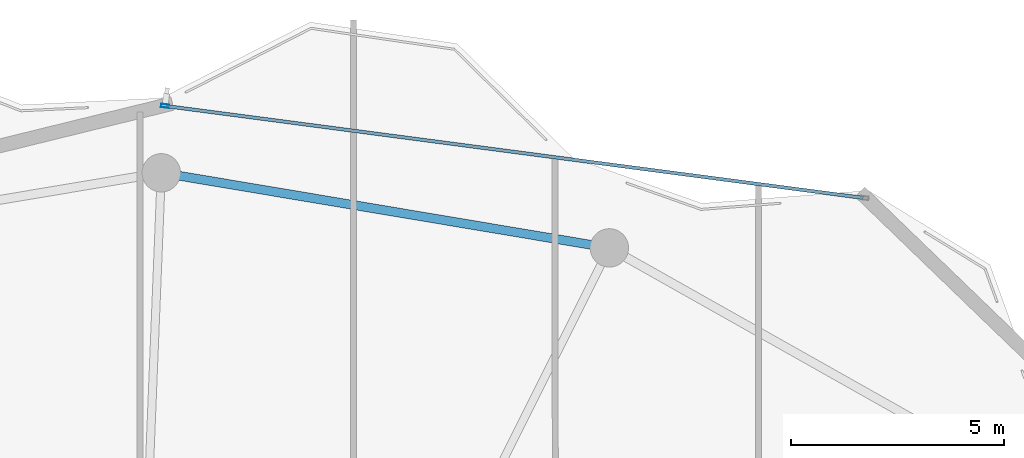
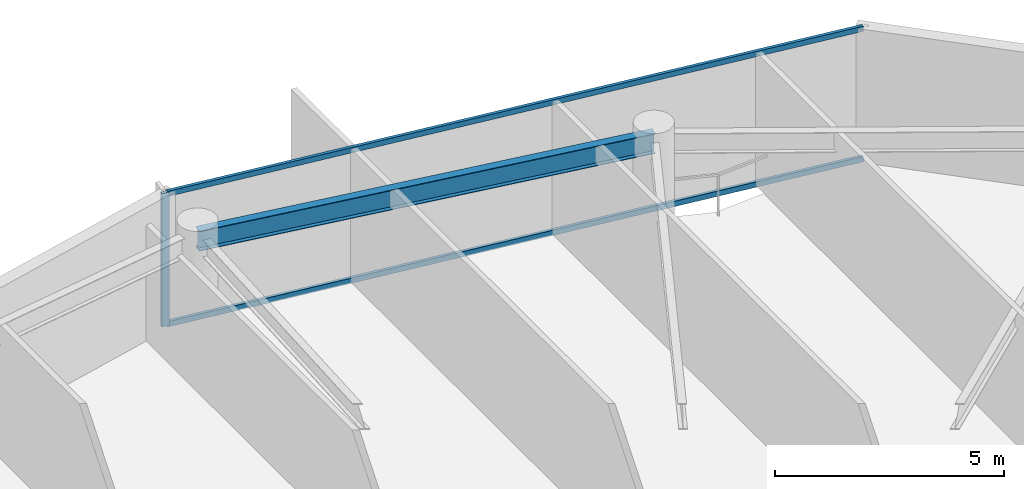
# One storey, part 20 of 29: 3 members, 1 beam, 1 element without a shape of its own.
"""IFC4 building model written with IfcOpenShell, lengths in metres."""

from ifc_helpers import new_model, si_unit, direction, frame, origin, origin_2d, place, context, subcontext, project, spatial, hollow_rectangle, i_section, extrude, material, layer, layer_set, material_profile, profile_set, type_object, element, aggregate, save


model = new_model("IFC4")

# Units and contexts
model_context = context("Model", 3, precision=1e-05, world=origin(), true_north=direction((0.0, 1.0)))
body_context = subcontext(model_context, "Body", "Model", "MODEL_VIEW")
ifc_project = project(units=[si_unit("LENGTHUNIT", "METRE"), si_unit("AREAUNIT", "SQUARE_METRE"), si_unit("VOLUMEUNIT", "CUBIC_METRE"), si_unit("PLANEANGLEUNIT", "RADIAN"), si_unit("MASSUNIT", "GRAM", prefix="KILO")], contexts=[model_context])

# Site, building, storey
site_placement = place(None, origin())
site = spatial("IfcSite", under=ifc_project, at=site_placement, CompositionType="ELEMENT")
building_placement = place(site_placement, origin())
building = spatial("IfcBuilding", under=site, at=building_placement, Name="Kazevale Care Tower and Concert Hall", CompositionType="ELEMENT")
storey_placement = place(building_placement, frame((0.0, 0.0, 262.39990234375)))
storey = spatial("IfcBuildingStorey", under=building, at=storey_placement, Name="L69", CompositionType="ELEMENT", Elevation=262.39990234375)

# Curtain wall, members
ifc_material_1 = material(Name="Aluminium 6063-T6 and Low-E Glass", Category="aluminium")
ifc_layer = layer(ifc_material_1, 0.179931640625)
ifc_layer_set = layer_set([ifc_layer], Name="Aluminium 6063-T6 and Low-E Glass")
curtain_wall_type = type_object("IfcCurtainWallType", Name="Waist & Upper Residential Curtain Wall CW-4", PredefinedType="NOTDEFINED", material=ifc_layer_set)
curtain_wall_placement = place(storey_placement, origin())
curtain_wall = element("IfcCurtainWall", 1, at=curtain_wall_placement, inside=storey, type_object=curtain_wall_type, Name="cw:L69:f16", PredefinedType="NOTDEFINED")
ifc_material_2 = material(Name="Aluminium 6063-T6", Category="aluminium")
ifc_material_profile_1 = material_profile(ifc_material_2, hollow_rectangle(XDim=0.080078125, YDim=0.179931640625, WallThickness=0.0048828125, at=origin_2d()), Name="ALU80x180x5")
ifc_profile_set_1 = profile_set([ifc_material_profile_1], Name="Aluminium 6063-T6")
member_type_1 = type_object("IfcMemberType", Name="CW-4 Mullion ALU80x180x5", PredefinedType="MULLION", material=ifc_profile_set_1)
member_1_placement = place(storey_placement, frame((45.086669921875, 62.716796875, 0.0), z_axis=(0.0, 0.0, 1.0), x_axis=(0.130591441567, 0.99143626895, 0.0)))
member_1 = element("IfcMember", 2, at=member_1_placement, type_object=member_type_1, Name="CW-4 mullion 1", PredefinedType="MULLION", context=body_context, shape_type="SweptSolid", body=[
    extrude(hollow_rectangle(XDim=0.080078125, YDim=0.179931640625, WallThickness=0.0048828125, at=origin_2d()), origin(), (0.0, 0.0, 1.0), 3.56005859375),
])
ifc_material_profile_2 = material_profile(ifc_material_2, hollow_rectangle(XDim=0.080078125, YDim=0.139892578125, WallThickness=0.00390625, at=origin_2d()), Name="ALU80x140x4")
ifc_profile_set_2 = profile_set([ifc_material_profile_2], Name="Aluminium 6063-T6")
member_type_2 = type_object("IfcMemberType", Name="CW-4 Transom ALU80x140x4", PredefinedType="USERDEFINED", material=ifc_profile_set_2)
member_2_placement = place(storey_placement, frame((45.126220703125, 62.711669921875, 0.0400390625), z_axis=(0.99143606592, -0.130592982943, 0.0), x_axis=(0.130592982943, 0.99143606592, 0.0)))
member_2 = element("IfcMember", 3, at=member_2_placement, type_object=member_type_2, Name="CW-4 transom 1.1", ObjectType="TRANSOM", PredefinedType="USERDEFINED", context=body_context, shape_type="SweptSolid", body=[
    extrude(hollow_rectangle(XDim=0.080078125, YDim=0.139892578125, WallThickness=0.00390625, at=origin_2d()), origin(), (0.0, 0.0, 1.0), 16.464599609375),
])
member_3_placement = place(storey_placement, frame((45.126220703125, 62.711669921875, 3.52001953125), z_axis=(0.99143606592, -0.130592982943, 0.0), x_axis=(0.130592982943, 0.99143606592, 0.0)))
member_3 = element("IfcMember", 4, at=member_3_placement, type_object=member_type_2, Name="CW-4 transom 1.2", ObjectType="TRANSOM", PredefinedType="USERDEFINED", context=body_context, shape_type="SweptSolid", body=[
    extrude(hollow_rectangle(XDim=0.080078125, YDim=0.139892578125, WallThickness=0.00390625, at=origin_2d()), origin(), (0.0, 0.0, 1.0), 16.464599609375),
])
aggregate(curtain_wall, [member_1, member_2, member_3])

# Beam
ifc_material_3 = material(Name="Steel ASTM A572 Gr 50", Category="steel")
ifc_material_profile_3 = material_profile(ifc_material_3, i_section(OverallWidth=0.208984375, OverallDepth=0.532958984375, WebThickness=0.01025390625, FlangeThickness=0.015625, at=origin_2d()), Name="W530x92")
ifc_profile_set_3 = profile_set([ifc_material_profile_3], Name="Steel ASTM A572 Gr 50")
beam_type = type_object("IfcBeamType", Name="Upper Ring Beam W530x92", PredefinedType="BEAM", material=ifc_profile_set_3)
beam_placement = place(storey_placement, frame((55.5, 59.389892578125, 3.293701171875), z_axis=(-0.986241035683, 0.165313700387, 0.0), x_axis=(-0.165313700387, -0.986241035683, 0.0)))
element("IfcBeam", 5, at=beam_placement, inside=storey, type_object=beam_type, Name="beam:L69:ring:04", PredefinedType="BEAM", context=body_context, shape_type="SweptSolid", body=[
    extrude(i_section(OverallWidth=0.208984375, OverallDepth=0.532958984375, WebThickness=0.01025390625, FlangeThickness=0.015625, at=origin_2d()), origin(), (0.0, 0.0, 1.0), 10.646484375),
])

save(model, "model.ifc")
